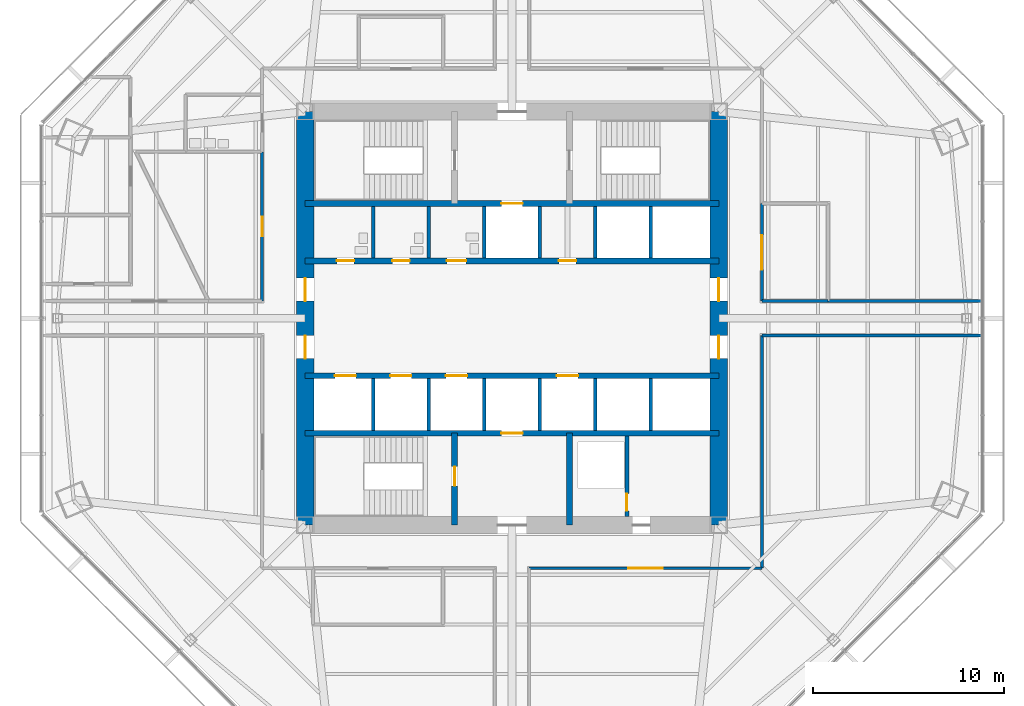
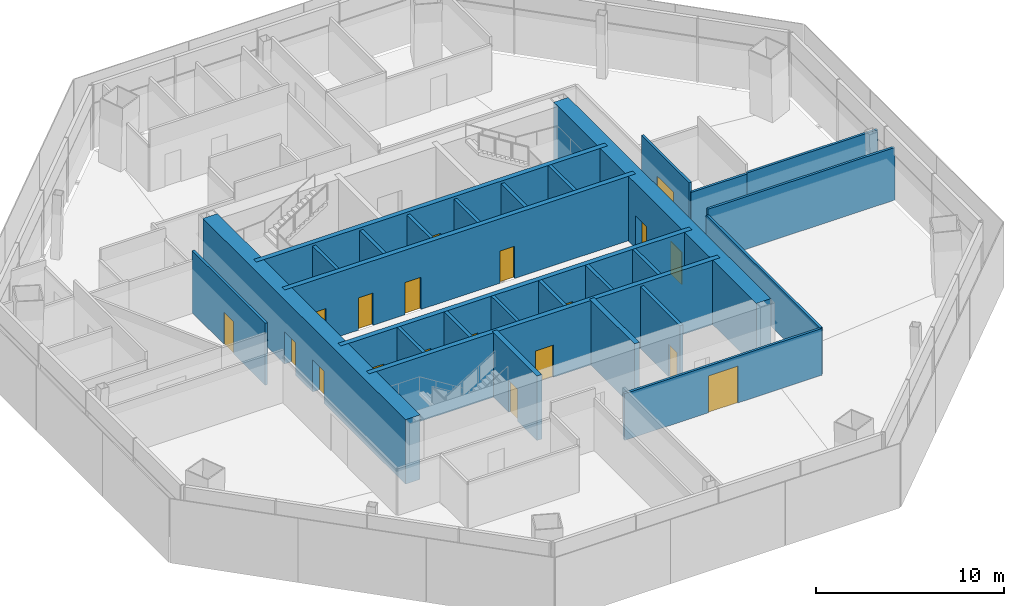
# One storey, part 9 of 14: 28 walls, 19 doors, 19 openings.
"""IFC4 building model written with IfcOpenShell, lengths in metres."""

from ifc_helpers import new_model, si_unit, direction, frame, frame_2d, origin, place, context, subcontext, project, spatial, rectangle, extrude, material, layer, layer_set, type_object, element, fill, save


model = new_model("IFC4")

# Units and contexts
model_context = context("Model", 3, precision=1e-05, world=origin(), true_north=direction((0.0, 1.0)))
body_context = subcontext(model_context, "Body", "Model", "MODEL_VIEW")
ifc_project = project(units=[si_unit("LENGTHUNIT", "METRE"), si_unit("AREAUNIT", "SQUARE_METRE"), si_unit("VOLUMEUNIT", "CUBIC_METRE"), si_unit("PLANEANGLEUNIT", "RADIAN"), si_unit("MASSUNIT", "GRAM", prefix="KILO")], contexts=[model_context])

# Site, building, storey
site_placement = place(None, origin())
site = spatial("IfcSite", under=ifc_project, at=site_placement, CompositionType="ELEMENT")
building_placement = place(site_placement, origin())
building = spatial("IfcBuilding", under=site, at=building_placement, Name="Mashrafa Tower", CompositionType="ELEMENT")
storey_placement = place(building_placement, frame((0.0, 0.0, 121.800048828125)))
storey = spatial("IfcBuildingStorey", under=building, at=storey_placement, Name="L27", CompositionType="ELEMENT", Elevation=121.800048828125)

# Wall, opening, door
ifc_material_1 = material(Name="Concrete masonry unit", Category="masonry")
ifc_layer_1 = layer(ifc_material_1, 0.199951171875)
ifc_layer_set_1 = layer_set([ifc_layer_1], Name="Blockwork wall 200 2 hr")
wall_type_1 = type_object("IfcWallType", Name="Blockwork wall 200 2 hr", PredefinedType="PARTITIONING", material=ifc_layer_set_1)
wall_1_placement = place(storey_placement, frame((6.0, -10.35009765625, 0.0), z_axis=(0.0, 0.0, 1.0), x_axis=(0.0, 1.0, 0.0)))
wall_1 = element("IfcWall", 1, at=wall_1_placement, inside=storey, type_object=wall_type_1, Name="Riser enclosure wall L27", PredefinedType="PARTITIONING", context=body_context, shape_type="SweptSolid", body=[
    extrude(rectangle(XDim=4.2001953125, YDim=0.199951171875, at=frame_2d((2.10009765625, 0.0))), origin(), (0.0, 0.0, 1.0), 4.034912109375),
])
opening_1_placement = place(wall_1_placement, frame((0.300048828125, 0.0, 0.0)))
opening_1 = element("IfcOpeningElement", 2, at=opening_1_placement, cuts=wall_1, Name="Opening 27.028", PredefinedType="OPENING", context=body_context, shape_type="SweptSolid", body=[
    extrude(rectangle(XDim=0.89990234375, YDim=2.10009765625, at=frame_2d((0.449951171875, 1.050048828125))), frame((0.0, 0.10986328125, 0.0), z_axis=(0.0, -1.0, 0.0), x_axis=(1.0, 0.0, 0.0)), (0.0, 0.0, 1.0), 0.219970703125),
])
ifc_material_2 = material(Name="Steel door", Category="steel")
door_type_1 = type_object("IfcDoorType", Name="Service door 900 x 2100 90 min", OperationType="USERDEFINED", PredefinedType="DOOR", material=ifc_material_2)
door_1_placement = place(opening_1_placement, origin())
door_1 = element("IfcDoor", 3, at=door_1_placement, inside=storey, type_object=door_type_1, Name="Riser door L27", OperationType="SINGLE_SWING_LEFT", OverallHeight=2.10009765625, OverallWidth=0.89990234375, PredefinedType="DOOR", context=body_context, shape_type="SweptSolid", body=[
    extrude(rectangle(XDim=0.89990234375, YDim=2.10009765625, at=frame_2d((0.449951171875, 1.050048828125))), frame((0.0, 0.02490234375, 0.0), z_axis=(0.0, -1.0, 0.0), x_axis=(1.0, 0.0, 0.0)), (0.0, 0.0, 1.0), 0.050048828125),
])
fill(opening_1, door_1)

# Wall, openings, doors
ifc_material_3 = material(Name="Concrete C60/75", Category="concrete")
ifc_layer_2 = layer(ifc_material_3, 0.300048828125)
ifc_layer_set_2 = layer_set([ifc_layer_2], Name="Core wall 300 C60/75")
wall_type_2 = type_object("IfcWallType", Name="Core wall 300 C60/75", PredefinedType="SOLIDWALL", material=ifc_layer_set_2)
wall_2_placement = place(storey_placement, frame((-10.800048828125, 3.0, 0.0), z_axis=(0.0, 0.0, 1.0), x_axis=(1.0, 0.0, 0.0)))
wall_2 = element("IfcWall", 4, at=wall_2_placement, inside=storey, type_object=wall_type_2, Name="Core wall CH-N L27", PredefinedType="SOLIDWALL", context=body_context, shape_type="SweptSolid", body=[
    extrude(rectangle(XDim=21.60009765625, YDim=0.300048828125, at=frame_2d((10.800048828125, 0.0))), origin(), (0.0, 0.0, 1.0), 4.199951171875),
])
opening_2_placement = place(wall_2_placement, frame((1.64990234375, 0.0, 0.0)))
opening_2 = element("IfcOpeningElement", 5, at=opening_2_placement, cuts=wall_2, Name="Opening 27.029", PredefinedType="OPENING", context=body_context, shape_type="SweptSolid", body=[
    extrude(rectangle(XDim=0.89990234375, YDim=2.10009765625, at=frame_2d((0.449951171875, 1.050048828125))), frame((0.0, 0.159912109375, 0.0), z_axis=(0.0, -1.0, 0.0), x_axis=(1.0, 0.0, 0.0)), (0.0, 0.0, 1.0), 0.320068359375),
])
opening_3_placement = place(wall_2_placement, frame((4.550048828125, 0.0, 0.0)))
opening_3 = element("IfcOpeningElement", 6, at=opening_3_placement, cuts=wall_2, Name="Opening 27.030", PredefinedType="OPENING", context=body_context, shape_type="SweptSolid", body=[
    extrude(rectangle(XDim=0.89990234375, YDim=2.10009765625, at=frame_2d((0.449951171875, 1.050048828125))), frame((0.0, 0.159912109375, 0.0), z_axis=(0.0, -1.0, 0.0), x_axis=(1.0, 0.0, 0.0)), (0.0, 0.0, 1.0), 0.320068359375),
])
opening_4_placement = place(wall_2_placement, frame((7.39990234375, 0.0, 0.0)))
opening_4 = element("IfcOpeningElement", 7, at=opening_4_placement, cuts=wall_2, Name="Opening 27.031", PredefinedType="OPENING", context=body_context, shape_type="SweptSolid", body=[
    extrude(rectangle(XDim=1.0, YDim=2.10009765625, at=frame_2d((0.5, 1.050048828125))), frame((0.0, 0.159912109375, 0.0), z_axis=(0.0, -1.0, 0.0), x_axis=(1.0, 0.0, 0.0)), (0.0, 0.0, 1.0), 0.320068359375),
])
opening_5_placement = place(wall_2_placement, frame((13.25, 0.0, 0.0)))
opening_5 = element("IfcOpeningElement", 8, at=opening_5_placement, cuts=wall_2, Name="Opening 27.032", PredefinedType="OPENING", context=body_context, shape_type="SweptSolid", body=[
    extrude(rectangle(XDim=0.89990234375, YDim=2.10009765625, at=frame_2d((0.449951171875, 1.050048828125))), frame((0.0, 0.159912109375, 0.0), z_axis=(0.0, -1.0, 0.0), x_axis=(1.0, 0.0, 0.0)), (0.0, 0.0, 1.0), 0.320068359375),
])
ifc_material_4 = material(Name="Timber door", Category="wood")
door_type_2 = type_object("IfcDoorType", Name="Accessible toilet door 1000 x 2100", OperationType="USERDEFINED", PredefinedType="DOOR", material=ifc_material_4)
door_2_placement = place(opening_4_placement, origin())
door_2 = element("IfcDoor", 9, at=door_2_placement, inside=storey, type_object=door_type_2, Name="Accessible WC L27 door", OperationType="SINGLE_SWING_LEFT", OverallHeight=2.10009765625, OverallWidth=1.0, PredefinedType="DOOR", context=body_context, shape_type="SweptSolid", body=[
    extrude(rectangle(XDim=1.0, YDim=2.10009765625, at=frame_2d((0.5, 1.050048828125))), frame((0.0, 0.02490234375, 0.0), z_axis=(0.0, -1.0, 0.0), x_axis=(1.0, 0.0, 0.0)), (0.0, 0.0, 1.0), 0.050048828125),
])
fill(opening_4, door_2)
ifc_material_5 = material(Name="Timber door", Category="wood")
door_type_3 = type_object("IfcDoorType", Name="Store door 900 x 2100", OperationType="USERDEFINED", PredefinedType="DOOR", material=ifc_material_5)
door_3_placement = place(opening_5_placement, origin())
door_3 = element("IfcDoor", 10, at=door_3_placement, inside=storey, type_object=door_type_3, Name="Cleaner's Store L27 door", OperationType="SINGLE_SWING_LEFT", OverallHeight=2.10009765625, OverallWidth=0.89990234375, PredefinedType="DOOR", context=body_context, shape_type="SweptSolid", body=[
    extrude(rectangle(XDim=0.89990234375, YDim=2.10009765625, at=frame_2d((0.449951171875, 1.050048828125))), frame((0.0, 0.02490234375, 0.0), z_axis=(0.0, -1.0, 0.0), x_axis=(1.0, 0.0, 0.0)), (0.0, 0.0, 1.0), 0.050048828125),
])
fill(opening_5, door_3)
ifc_material_6 = material(Name="Timber door", Category="wood")
door_type_4 = type_object("IfcDoorType", Name="Toilet door 900 x 2100", OperationType="USERDEFINED", PredefinedType="DOOR", material=ifc_material_6)
door_4_placement = place(opening_2_placement, origin())
door_4 = element("IfcDoor", 11, at=door_4_placement, inside=storey, type_object=door_type_4, Name="WC Male L27 door", OperationType="SINGLE_SWING_RIGHT", OverallHeight=2.10009765625, OverallWidth=0.89990234375, PredefinedType="DOOR", context=body_context, shape_type="SweptSolid", body=[
    extrude(rectangle(XDim=0.89990234375, YDim=2.10009765625, at=frame_2d((0.449951171875, 1.050048828125))), frame((0.0, 0.02490234375, 0.0), z_axis=(0.0, -1.0, 0.0), x_axis=(1.0, 0.0, 0.0)), (0.0, 0.0, 1.0), 0.050048828125),
])
fill(opening_2, door_4)
door_5_placement = place(opening_3_placement, origin())
door_5 = element("IfcDoor", 12, at=door_5_placement, inside=storey, type_object=door_type_4, Name="WC Female L27 door", OperationType="SINGLE_SWING_LEFT", OverallHeight=2.10009765625, OverallWidth=0.89990234375, PredefinedType="DOOR", context=body_context, shape_type="SweptSolid", body=[
    extrude(rectangle(XDim=0.89990234375, YDim=2.10009765625, at=frame_2d((0.449951171875, 1.050048828125))), frame((0.0, 0.02490234375, 0.0), z_axis=(0.0, -1.0, 0.0), x_axis=(1.0, 0.0, 0.0)), (0.0, 0.0, 1.0), 0.050048828125),
])
fill(opening_3, door_5)

# Wall, opening, door
wall_3_placement = place(storey_placement, frame((-10.800048828125, 6.0, 0.0), z_axis=(0.0, 0.0, 1.0), x_axis=(1.0, 0.0, 0.0)))
wall_3 = element("IfcWall", 13, at=wall_3_placement, inside=storey, type_object=wall_type_2, Name="Core wall CB-N L27", PredefinedType="SOLIDWALL", context=body_context, shape_type="SweptSolid", body=[
    extrude(rectangle(XDim=21.60009765625, YDim=0.300048828125, at=frame_2d((10.800048828125, 0.0))), origin(), (0.0, 0.0, 1.0), 4.199951171875),
])
opening_6_placement = place(wall_3_placement, frame((10.25, 0.0, 0.0)))
opening_6 = element("IfcOpeningElement", 14, at=opening_6_placement, cuts=wall_3, Name="Opening 27.F1", PredefinedType="OPENING", context=body_context, shape_type="SweptSolid", body=[
    extrude(rectangle(XDim=1.10009765625, YDim=2.10009765625, at=frame_2d((0.550048828125, 1.050048828125))), frame((0.0, 0.159912109375, 0.0), z_axis=(0.0, -1.0, 0.0), x_axis=(1.0, 0.0, 0.0)), (0.0, 0.0, 1.0), 0.320068359375),
])
ifc_material_7 = material(Name="Steel door", Category="steel")
door_type_5 = type_object("IfcDoorType", Name="Lift landing door 1100 x 2100 90 min", OperationType="DOUBLE_DOOR_SLIDING", PredefinedType="DOOR", material=ifc_material_7)
door_6_placement = place(opening_6_placement, origin())
door_6 = element("IfcDoor", 15, at=door_6_placement, inside=storey, type_object=door_type_5, Name="Lift landing door F1 L27", OperationType="DOUBLE_DOOR_SLIDING", OverallHeight=2.10009765625, OverallWidth=1.10009765625, PredefinedType="DOOR", context=body_context, shape_type="SweptSolid", body=[
    extrude(rectangle(XDim=1.10009765625, YDim=2.10009765625, at=frame_2d((0.550048828125, 1.050048828125))), frame((0.0, 0.02490234375, 0.0), z_axis=(0.0, -1.0, 0.0), x_axis=(1.0, 0.0, 0.0)), (0.0, 0.0, 1.0), 0.050048828125),
])
fill(opening_6, door_6)

# Wall, openings, doors
wall_4_placement = place(storey_placement, frame((-10.800048828125, -3.0, 0.0), z_axis=(0.0, 0.0, 1.0), x_axis=(1.0, 0.0, 0.0)))
wall_4 = element("IfcWall", 16, at=wall_4_placement, inside=storey, type_object=wall_type_2, Name="Core wall CH-S L27", PredefinedType="SOLIDWALL", context=body_context, shape_type="SweptSolid", body=[
    extrude(rectangle(XDim=21.60009765625, YDim=0.300048828125, at=frame_2d((10.800048828125, 0.0))), origin(), (0.0, 0.0, 1.0), 4.199951171875),
])
opening_7_placement = place(wall_4_placement, frame((1.550048828125, 0.0, 0.0)))
opening_7 = element("IfcOpeningElement", 17, at=opening_7_placement, cuts=wall_4, Name="Opening 27.B1", PredefinedType="OPENING", context=body_context, shape_type="SweptSolid", body=[
    extrude(rectangle(XDim=1.10009765625, YDim=2.10009765625, at=frame_2d((0.550048828125, 1.050048828125))), frame((0.0, 0.159912109375, 0.0), z_axis=(0.0, -1.0, 0.0), x_axis=(1.0, 0.0, 0.0)), (0.0, 0.0, 1.0), 0.320068359375),
])
opening_8_placement = place(wall_4_placement, frame((4.449951171875, 0.0, 0.0)))
opening_8 = element("IfcOpeningElement", 18, at=opening_8_placement, cuts=wall_4, Name="Opening 27.B2", PredefinedType="OPENING", context=body_context, shape_type="SweptSolid", body=[
    extrude(rectangle(XDim=1.10009765625, YDim=2.10009765625, at=frame_2d((0.550048828125, 1.050048828125))), frame((0.0, 0.159912109375, 0.0), z_axis=(0.0, -1.0, 0.0), x_axis=(1.0, 0.0, 0.0)), (0.0, 0.0, 1.0), 0.320068359375),
])
opening_9_placement = place(wall_4_placement, frame((7.35009765625, 0.0, 0.0)))
opening_9 = element("IfcOpeningElement", 19, at=opening_9_placement, cuts=wall_4, Name="Opening 27.B3", PredefinedType="OPENING", context=body_context, shape_type="SweptSolid", body=[
    extrude(rectangle(XDim=1.10009765625, YDim=2.10009765625, at=frame_2d((0.550048828125, 1.050048828125))), frame((0.0, 0.159912109375, 0.0), z_axis=(0.0, -1.0, 0.0), x_axis=(1.0, 0.0, 0.0)), (0.0, 0.0, 1.0), 0.320068359375),
])
opening_10_placement = place(wall_4_placement, frame((13.14990234375, 0.0, 0.0)))
opening_10 = element("IfcOpeningElement", 20, at=opening_10_placement, cuts=wall_4, Name="Opening 27.B4", PredefinedType="OPENING", context=body_context, shape_type="SweptSolid", body=[
    extrude(rectangle(XDim=1.10009765625, YDim=2.10009765625, at=frame_2d((0.550048828125, 1.050048828125))), frame((0.0, 0.159912109375, 0.0), z_axis=(0.0, -1.0, 0.0), x_axis=(1.0, 0.0, 0.0)), (0.0, 0.0, 1.0), 0.320068359375),
])
door_7_placement = place(opening_7_placement, origin())
door_7 = element("IfcDoor", 21, at=door_7_placement, inside=storey, type_object=door_type_5, Name="Lift landing door B1 L27", OperationType="DOUBLE_DOOR_SLIDING", OverallHeight=2.10009765625, OverallWidth=1.10009765625, PredefinedType="DOOR", context=body_context, shape_type="SweptSolid", body=[
    extrude(rectangle(XDim=1.10009765625, YDim=2.10009765625, at=frame_2d((0.550048828125, 1.050048828125))), frame((0.0, 0.02490234375, 0.0), z_axis=(0.0, -1.0, 0.0), x_axis=(1.0, 0.0, 0.0)), (0.0, 0.0, 1.0), 0.050048828125),
])
fill(opening_7, door_7)
door_8_placement = place(opening_8_placement, origin())
door_8 = element("IfcDoor", 22, at=door_8_placement, inside=storey, type_object=door_type_5, Name="Lift landing door B2 L27", OperationType="DOUBLE_DOOR_SLIDING", OverallHeight=2.10009765625, OverallWidth=1.10009765625, PredefinedType="DOOR", context=body_context, shape_type="SweptSolid", body=[
    extrude(rectangle(XDim=1.10009765625, YDim=2.10009765625, at=frame_2d((0.550048828125, 1.050048828125))), frame((0.0, 0.02490234375, 0.0), z_axis=(0.0, -1.0, 0.0), x_axis=(1.0, 0.0, 0.0)), (0.0, 0.0, 1.0), 0.050048828125),
])
fill(opening_8, door_8)
door_9_placement = place(opening_9_placement, origin())
door_9 = element("IfcDoor", 23, at=door_9_placement, inside=storey, type_object=door_type_5, Name="Lift landing door B3 L27", OperationType="DOUBLE_DOOR_SLIDING", OverallHeight=2.10009765625, OverallWidth=1.10009765625, PredefinedType="DOOR", context=body_context, shape_type="SweptSolid", body=[
    extrude(rectangle(XDim=1.10009765625, YDim=2.10009765625, at=frame_2d((0.550048828125, 1.050048828125))), frame((0.0, 0.02490234375, 0.0), z_axis=(0.0, -1.0, 0.0), x_axis=(1.0, 0.0, 0.0)), (0.0, 0.0, 1.0), 0.050048828125),
])
fill(opening_9, door_9)
door_10_placement = place(opening_10_placement, origin())
door_10 = element("IfcDoor", 24, at=door_10_placement, inside=storey, type_object=door_type_5, Name="Lift landing door B4 L27", OperationType="DOUBLE_DOOR_SLIDING", OverallHeight=2.10009765625, OverallWidth=1.10009765625, PredefinedType="DOOR", context=body_context, shape_type="SweptSolid", body=[
    extrude(rectangle(XDim=1.10009765625, YDim=2.10009765625, at=frame_2d((0.550048828125, 1.050048828125))), frame((0.0, 0.02490234375, 0.0), z_axis=(0.0, -1.0, 0.0), x_axis=(1.0, 0.0, 0.0)), (0.0, 0.0, 1.0), 0.050048828125),
])
fill(opening_10, door_10)

# Wall, opening, door
wall_5_placement = place(storey_placement, frame((-10.800048828125, -6.0, 0.0), z_axis=(0.0, 0.0, 1.0), x_axis=(1.0, 0.0, 0.0)))
wall_5 = element("IfcWall", 25, at=wall_5_placement, inside=storey, type_object=wall_type_2, Name="Core wall CB-S L27", PredefinedType="SOLIDWALL", context=body_context, shape_type="SweptSolid", body=[
    extrude(rectangle(XDim=21.60009765625, YDim=0.300048828125, at=frame_2d((10.800048828125, 0.0))), origin(), (0.0, 0.0, 1.0), 4.199951171875),
])
opening_11_placement = place(wall_5_placement, frame((10.25, 0.0, 0.0)))
opening_11 = element("IfcOpeningElement", 26, at=opening_11_placement, cuts=wall_5, Name="Opening 27.F2", PredefinedType="OPENING", context=body_context, shape_type="SweptSolid", body=[
    extrude(rectangle(XDim=1.10009765625, YDim=2.10009765625, at=frame_2d((0.550048828125, 1.050048828125))), frame((0.0, 0.159912109375, 0.0), z_axis=(0.0, -1.0, 0.0), x_axis=(1.0, 0.0, 0.0)), (0.0, 0.0, 1.0), 0.320068359375),
])
door_11_placement = place(opening_11_placement, origin())
door_11 = element("IfcDoor", 27, at=door_11_placement, inside=storey, type_object=door_type_5, Name="Lift landing door F2 L27", OperationType="DOUBLE_DOOR_SLIDING", OverallHeight=2.10009765625, OverallWidth=1.10009765625, PredefinedType="DOOR", context=body_context, shape_type="SweptSolid", body=[
    extrude(rectangle(XDim=1.10009765625, YDim=2.10009765625, at=frame_2d((0.550048828125, 1.050048828125))), frame((0.0, 0.02490234375, 0.0), z_axis=(0.0, -1.0, 0.0), x_axis=(1.0, 0.0, 0.0)), (0.0, 0.0, 1.0), 0.050048828125),
])
fill(opening_11, door_11)

wall_6_placement = place(storey_placement, frame((-3.0, -6.0, 0.0), z_axis=(0.0, 0.0, 1.0), x_axis=(0.0, -1.0, 0.0)))
wall_6 = element("IfcWall", 28, at=wall_6_placement, inside=storey, type_object=wall_type_2, Name="Core wall CX-SW L27", PredefinedType="SOLIDWALL", context=body_context, shape_type="SweptSolid", body=[
    extrude(rectangle(XDim=4.800048828125, YDim=0.300048828125, at=frame_2d((2.39990234375, 0.0))), origin(), (0.0, 0.0, 1.0), 4.199951171875),
])
opening_12_placement = place(wall_6_placement, frame((1.75, 0.0, 0.0)))
opening_12 = element("IfcOpeningElement", 29, at=opening_12_placement, cuts=wall_6, Name="Opening 27.026", PredefinedType="OPENING", context=body_context, shape_type="SweptSolid", body=[
    extrude(rectangle(XDim=1.0, YDim=2.10009765625, at=frame_2d((0.5, 1.050048828125))), frame((0.0, 0.159912109375, 0.0), z_axis=(0.0, -1.0, 0.0), x_axis=(1.0, 0.0, 0.0)), (0.0, 0.0, 1.0), 0.320068359375),
])
ifc_material_8 = material(Name="Steel door", Category="steel")
door_type_6 = type_object("IfcDoorType", Name="Stair door 1000 x 2100 90 min", OperationType="USERDEFINED", PredefinedType="DOOR", material=ifc_material_8)
door_12_placement = place(opening_12_placement, frame((1.0, 0.0, 0.0), z_axis=(0.0, 0.0, 1.0), x_axis=(-1.0, 0.0, 0.0)))
door_12 = element("IfcDoor", 30, at=door_12_placement, inside=storey, type_object=door_type_6, Name="Stair S3 door L27", OperationType="SINGLE_SWING_RIGHT", OverallHeight=2.10009765625, OverallWidth=1.0, PredefinedType="DOOR", context=body_context, shape_type="SweptSolid", body=[
    extrude(rectangle(XDim=1.0, YDim=2.10009765625, at=frame_2d((0.5, 1.050048828125))), frame((0.0, 0.02490234375, 0.0), z_axis=(0.0, -1.0, 0.0), x_axis=(1.0, 0.0, 0.0)), (0.0, 0.0, 1.0), 0.050048828125),
])
fill(opening_12, door_12)

# Wall
wall_7_placement = place(storey_placement, frame((3.0, -6.0, 0.0), z_axis=(0.0, 0.0, 1.0), x_axis=(0.0, -1.0, 0.0)))
element("IfcWall", 31, at=wall_7_placement, inside=storey, type_object=wall_type_2, Name="Core wall CX-SE L27", PredefinedType="SOLIDWALL", context=body_context, shape_type="SweptSolid", body=[
    extrude(rectangle(XDim=4.800048828125, YDim=0.300048828125, at=frame_2d((2.39990234375, 0.0))), origin(), (0.0, 0.0, 1.0), 4.199951171875),
])

# Wall, openings, doors
ifc_material_9 = material(Name="Concrete C60/75", Category="concrete")
ifc_layer_3 = layer(ifc_material_9, 0.89990234375)
ifc_layer_set_3 = layer_set([ifc_layer_3], Name="Core wall 900 C60/75")
wall_type_3 = type_object("IfcWallType", Name="Core wall 900 C60/75", PredefinedType="SOLIDWALL", material=ifc_layer_set_3)
wall_8_placement = place(storey_placement, frame((10.800048828125, -10.800048828125, 0.0), z_axis=(0.0, 0.0, 1.0), x_axis=(0.0, 1.0, 0.0)))
wall_8 = element("IfcWall", 32, at=wall_8_placement, inside=storey, type_object=wall_type_3, Name="Core wall CW-E L27", PredefinedType="SOLIDWALL", context=body_context, shape_type="SweptSolid", body=[
    extrude(rectangle(XDim=21.60009765625, YDim=0.89990234375, at=frame_2d((10.800048828125, 0.0))), origin(), (0.0, 0.0, 1.0), 4.199951171875),
])
opening_13_placement = place(wall_8_placement, frame((11.699951171875, 0.0, 0.0)))
opening_13 = element("IfcOpeningElement", 33, at=opening_13_placement, cuts=wall_8, Name="Opening 27.018", PredefinedType="OPENING", context=body_context, shape_type="SweptSolid", body=[
    extrude(rectangle(XDim=1.199951171875, YDim=2.10009765625, at=frame_2d((0.60009765625, 1.050048828125))), frame((0.0, 0.4599609375, 0.0), z_axis=(0.0, -1.0, 0.0), x_axis=(1.0, 0.0, 0.0)), (0.0, 0.0, 1.0), 0.919921875),
])
opening_14_placement = place(wall_8_placement, frame((8.699951171875, 0.0, 0.0)))
opening_14 = element("IfcOpeningElement", 34, at=opening_14_placement, cuts=wall_8, Name="Opening 27.020", PredefinedType="OPENING", context=body_context, shape_type="SweptSolid", body=[
    extrude(rectangle(XDim=1.199951171875, YDim=2.10009765625, at=frame_2d((0.60009765625, 1.050048828125))), frame((0.0, 0.4599609375, 0.0), z_axis=(0.0, -1.0, 0.0), x_axis=(1.0, 0.0, 0.0)), (0.0, 0.0, 1.0), 0.919921875),
])
ifc_material_10 = material(Name="Steel door", Category="steel")
door_type_7 = type_object("IfcDoorType", Name="Lift hall door 1200 x 2100 90 min", OperationType="USERDEFINED", PredefinedType="DOOR", material=ifc_material_10)
door_13_placement = place(opening_13_placement, frame((1.199951171875, 0.0, 0.0), z_axis=(0.0, 0.0, 1.0), x_axis=(-1.0, 0.0, 0.0)))
door_13 = element("IfcDoor", 35, at=door_13_placement, inside=storey, type_object=door_type_7, Name="Lift hall door east L27", OperationType="SINGLE_SWING_LEFT", OverallHeight=2.10009765625, OverallWidth=1.199951171875, PredefinedType="DOOR", context=body_context, shape_type="SweptSolid", body=[
    extrude(rectangle(XDim=1.199951171875, YDim=2.10009765625, at=frame_2d((0.60009765625, 1.050048828125))), frame((0.0, 0.02490234375, 0.0), z_axis=(0.0, -1.0, 0.0), x_axis=(1.0, 0.0, 0.0)), (0.0, 0.0, 1.0), 0.050048828125),
])
fill(opening_13, door_13)
door_14_placement = place(opening_14_placement, frame((1.199951171875, 0.0, 0.0), z_axis=(0.0, 0.0, 1.0), x_axis=(-1.0, 0.0, 0.0)))
door_14 = element("IfcDoor", 36, at=door_14_placement, inside=storey, type_object=door_type_7, Name="Lift hall door east L27", OperationType="SINGLE_SWING_RIGHT", OverallHeight=2.10009765625, OverallWidth=1.199951171875, PredefinedType="DOOR", context=body_context, shape_type="SweptSolid", body=[
    extrude(rectangle(XDim=1.199951171875, YDim=2.10009765625, at=frame_2d((0.60009765625, 1.050048828125))), frame((0.0, 0.02490234375, 0.0), z_axis=(0.0, -1.0, 0.0), x_axis=(1.0, 0.0, 0.0)), (0.0, 0.0, 1.0), 0.050048828125),
])
fill(opening_14, door_14)

wall_9_placement = place(storey_placement, frame((-10.800048828125, 10.800048828125, 0.0), z_axis=(0.0, 0.0, 1.0), x_axis=(0.0, -1.0, 0.0)))
wall_9 = element("IfcWall", 37, at=wall_9_placement, inside=storey, type_object=wall_type_3, Name="Core wall CW-W L27", PredefinedType="SOLIDWALL", context=body_context, shape_type="SweptSolid", body=[
    extrude(rectangle(XDim=21.60009765625, YDim=0.89990234375, at=frame_2d((10.800048828125, 0.0))), origin(), (0.0, 0.0, 1.0), 4.199951171875),
])
opening_15_placement = place(wall_9_placement, frame((8.699951171875, 0.0, 0.0)))
opening_15 = element("IfcOpeningElement", 38, at=opening_15_placement, cuts=wall_9, Name="Opening 27.019", PredefinedType="OPENING", context=body_context, shape_type="SweptSolid", body=[
    extrude(rectangle(XDim=1.199951171875, YDim=2.10009765625, at=frame_2d((0.60009765625, 1.050048828125))), frame((0.0, 0.4599609375, 0.0), z_axis=(0.0, -1.0, 0.0), x_axis=(1.0, 0.0, 0.0)), (0.0, 0.0, 1.0), 0.919921875),
])
opening_16_placement = place(wall_9_placement, frame((11.699951171875, 0.0, 0.0)))
opening_16 = element("IfcOpeningElement", 39, at=opening_16_placement, cuts=wall_9, Name="Opening 27.021", PredefinedType="OPENING", context=body_context, shape_type="SweptSolid", body=[
    extrude(rectangle(XDim=1.199951171875, YDim=2.10009765625, at=frame_2d((0.60009765625, 1.050048828125))), frame((0.0, 0.4599609375, 0.0), z_axis=(0.0, -1.0, 0.0), x_axis=(1.0, 0.0, 0.0)), (0.0, 0.0, 1.0), 0.919921875),
])
door_15_placement = place(opening_15_placement, frame((1.199951171875, 0.0, 0.0), z_axis=(0.0, 0.0, 1.0), x_axis=(-1.0, 0.0, 0.0)))
door_15 = element("IfcDoor", 40, at=door_15_placement, inside=storey, type_object=door_type_7, Name="Lift hall door west L27", OperationType="SINGLE_SWING_RIGHT", OverallHeight=2.10009765625, OverallWidth=1.199951171875, PredefinedType="DOOR", context=body_context, shape_type="SweptSolid", body=[
    extrude(rectangle(XDim=1.199951171875, YDim=2.10009765625, at=frame_2d((0.60009765625, 1.050048828125))), frame((0.0, 0.02490234375, 0.0), z_axis=(0.0, -1.0, 0.0), x_axis=(1.0, 0.0, 0.0)), (0.0, 0.0, 1.0), 0.050048828125),
])
fill(opening_15, door_15)
door_16_placement = place(opening_16_placement, frame((1.199951171875, 0.0, 0.0), z_axis=(0.0, 0.0, 1.0), x_axis=(-1.0, 0.0, 0.0)))
door_16 = element("IfcDoor", 41, at=door_16_placement, inside=storey, type_object=door_type_7, Name="Lift hall door west L27", OperationType="SINGLE_SWING_LEFT", OverallHeight=2.10009765625, OverallWidth=1.199951171875, PredefinedType="DOOR", context=body_context, shape_type="SweptSolid", body=[
    extrude(rectangle(XDim=1.199951171875, YDim=2.10009765625, at=frame_2d((0.60009765625, 1.050048828125))), frame((0.0, 0.02490234375, 0.0), z_axis=(0.0, -1.0, 0.0), x_axis=(1.0, 0.0, 0.0)), (0.0, 0.0, 1.0), 0.050048828125),
])
fill(opening_16, door_16)

# Wall, opening, door
ifc_material_11 = material(Name="Gypsum board on steel studs", Category="steel")
ifc_layer_4 = layer(ifc_material_11, 0.14990234375)
ifc_layer_set_4 = layer_set([ifc_layer_4], Name="Corridor partition 150 1 hr")
wall_type_4 = type_object("IfcWallType", Name="Corridor partition 150 1 hr", PredefinedType="PARTITIONING", material=ifc_layer_set_4)
wall_10_placement = place(storey_placement, frame((-13.050048828125, 8.700927734375, 0.0), z_axis=(0.0, 0.0, 1.0), x_axis=(0.0, -1.0, 0.0)))
wall_10 = element("IfcWall", 42, at=wall_10_placement, inside=storey, type_object=wall_type_4, Name="Corridor wall L27-001", PredefinedType="PARTITIONING", context=body_context, shape_type="SweptSolid", body=[
    extrude(rectangle(XDim=7.801025390625, YDim=0.14990234375, at=frame_2d((3.900390625, 0.0))), origin(), (0.0, 0.0, 1.0), 4.034912109375),
])
opening_17_placement = place(wall_10_placement, frame((3.400390625, 0.0, 0.0)))
opening_17 = element("IfcOpeningElement", 43, at=opening_17_placement, cuts=wall_10, Name="Opening 27.001", PredefinedType="OPENING", context=body_context, shape_type="SweptSolid", body=[
    extrude(rectangle(XDim=1.0, YDim=2.10009765625, at=frame_2d((0.5, 1.050048828125))), frame((0.0, 0.0849609375, 0.0), z_axis=(0.0, -1.0, 0.0), x_axis=(1.0, 0.0, 0.0)), (0.0, 0.0, 1.0), 0.169921875),
])
ifc_material_12 = material(Name="Timber door", Category="wood")
door_type_8 = type_object("IfcDoorType", Name="Door 1000 x 2100", OperationType="USERDEFINED", PredefinedType="DOOR", material=ifc_material_12)
door_17_placement = place(opening_17_placement, frame((1.0, 0.0, 0.0), z_axis=(0.0, 0.0, 1.0), x_axis=(-1.0, 0.0, 0.0)))
door_17 = element("IfcDoor", 44, at=door_17_placement, inside=storey, type_object=door_type_8, Name="Musallah Prayer Room 27 door", OperationType="SINGLE_SWING_LEFT", OverallHeight=2.10009765625, OverallWidth=1.0, PredefinedType="DOOR", context=body_context, shape_type="SweptSolid", body=[
    extrude(rectangle(XDim=1.0, YDim=2.10009765625, at=frame_2d((0.5, 1.050048828125))), frame((0.0, 0.02490234375, 0.0), z_axis=(0.0, -1.0, 0.0), x_axis=(1.0, 0.0, 0.0)), (0.0, 0.0, 1.0), 0.050048828125),
])
fill(opening_17, door_17)

# Wall
wall_11_placement = place(storey_placement, frame((16.5009765625, 0.89990234375, 0.0), z_axis=(0.0, 0.0, 1.0), x_axis=(-1.0, 0.0, 0.0)))
element("IfcWall", 45, at=wall_11_placement, inside=storey, type_object=wall_type_4, Name="Corridor wall L27-004", PredefinedType="PARTITIONING", context=body_context, shape_type="SweptSolid", body=[
    extrude(rectangle(XDim=3.450927734375, YDim=0.14990234375, at=frame_2d((1.7255859375, 0.0))), origin(), (0.0, 0.0, 1.0), 3.425537109375),
])

# Wall, opening, door
wall_12_placement = place(storey_placement, frame((13.050048828125, 0.89990234375, 0.0), z_axis=(0.0, 0.0, 1.0), x_axis=(0.0, 1.0, 0.0)))
wall_12 = element("IfcWall", 46, at=wall_12_placement, inside=storey, type_object=wall_type_4, Name="Corridor wall L27-005", PredefinedType="PARTITIONING", context=body_context, shape_type="SweptSolid", body=[
    extrude(rectangle(XDim=5.10107421875, YDim=0.14990234375, at=frame_2d((2.550537109375, 0.0))), origin(), (0.0, 0.0, 1.0), 4.034912109375),
])
opening_18_placement = place(wall_12_placement, frame((1.650390625, 0.0, 0.0)))
opening_18 = element("IfcOpeningElement", 47, at=opening_18_placement, cuts=wall_12, Name="Opening 27.003", PredefinedType="OPENING", context=body_context, shape_type="SweptSolid", body=[
    extrude(rectangle(XDim=1.800048828125, YDim=2.39990234375, at=frame_2d((0.89990234375, 1.199951171875))), frame((0.0, 0.0849609375, 0.0), z_axis=(0.0, -1.0, 0.0), x_axis=(1.0, 0.0, 0.0)), (0.0, 0.0, 1.0), 0.169921875),
])
ifc_material_13 = material(Name="Steel door", Category="steel")
door_type_9 = type_object("IfcDoorType", Name="Door pair 1800 x 2400 90 min", OperationType="DOUBLE_DOOR_SINGLE_SWING", PredefinedType="DOOR", material=ifc_material_13)
door_18_placement = place(opening_18_placement, origin())
door_18 = element("IfcDoor", 48, at=door_18_placement, inside=storey, type_object=door_type_9, Name="Reception Majlis 27 door", OperationType="DOUBLE_DOOR_SINGLE_SWING", OverallHeight=2.39990234375, OverallWidth=1.800048828125, PredefinedType="DOOR", context=body_context, shape_type="SweptSolid", body=[
    extrude(rectangle(XDim=1.800048828125, YDim=2.39990234375, at=frame_2d((0.89990234375, 1.199951171875))), frame((0.0, 0.02490234375, 0.0), z_axis=(0.0, -1.0, 0.0), x_axis=(1.0, 0.0, 0.0)), (0.0, 0.0, 1.0), 0.050048828125),
])
fill(opening_18, door_18)

# Wall
wall_13_placement = place(storey_placement, frame((24.55126953125, 0.89990234375, 0.0), z_axis=(0.0, 0.0, 1.0), x_axis=(-1.0, 0.0, 0.0)))
element("IfcWall", 49, at=wall_13_placement, inside=storey, type_object=wall_type_4, Name="Corridor wall L27-013", PredefinedType="PARTITIONING", context=body_context, shape_type="SweptSolid", body=[
    extrude(rectangle(XDim=8.05224609375, YDim=0.14990234375, at=frame_2d((4.026123046875, 0.0))), origin(), (0.0, 0.0, 1.0), 3.491455078125),
])

# Wall, opening, door
wall_14_placement = place(storey_placement, frame((0.89990234375, -13.050048828125, 0.0), z_axis=(0.0, 0.0, 1.0), x_axis=(1.0, 0.0, 0.0)))
wall_14 = element("IfcWall", 50, at=wall_14_placement, inside=storey, type_object=wall_type_4, Name="Corridor wall L27-025", PredefinedType="PARTITIONING", context=body_context, shape_type="SweptSolid", body=[
    extrude(rectangle(XDim=12.150146484375, YDim=0.14990234375, at=frame_2d((6.0751953125, 0.0))), origin(), (0.0, 0.0, 1.0), 3.0419921875),
])
opening_19_placement = place(wall_14_placement, frame((5.175048828125, 0.0, 0.0)))
opening_19 = element("IfcOpeningElement", 51, at=opening_19_placement, cuts=wall_14, Name="Opening 27.017", PredefinedType="OPENING", context=body_context, shape_type="SweptSolid", body=[
    extrude(rectangle(XDim=1.800048828125, YDim=2.39990234375, at=frame_2d((0.89990234375, 1.199951171875))), frame((0.0, 0.0849609375, 0.0), z_axis=(0.0, -1.0, 0.0), x_axis=(1.0, 0.0, 0.0)), (0.0, 0.0, 1.0), 0.169921875),
])
ifc_material_14 = material(Name="Timber door", Category="wood")
door_type_10 = type_object("IfcDoorType", Name="Door pair 1800 x 2400", OperationType="DOUBLE_DOOR_SINGLE_SWING", PredefinedType="DOOR", material=ifc_material_14)
door_19_placement = place(opening_19_placement, frame((1.800048828125, 0.0, 0.0), z_axis=(0.0, 0.0, 1.0), x_axis=(-1.0, 0.0, 0.0)))
door_19 = element("IfcDoor", 52, at=door_19_placement, inside=storey, type_object=door_type_10, Name="Programme Delivery Office 27-SE door", OperationType="DOUBLE_DOOR_SINGLE_SWING", OverallHeight=2.39990234375, OverallWidth=1.800048828125, PredefinedType="DOOR", context=body_context, shape_type="SweptSolid", body=[
    extrude(rectangle(XDim=1.800048828125, YDim=2.39990234375, at=frame_2d((0.89990234375, 1.199951171875))), frame((0.0, 0.02490234375, 0.0), z_axis=(0.0, -1.0, 0.0), x_axis=(1.0, 0.0, 0.0)), (0.0, 0.0, 1.0), 0.050048828125),
])
fill(opening_19, door_19)

# Walls
wall_15_placement = place(storey_placement, frame((13.050048828125, -13.050048828125, 0.0), z_axis=(0.0, 0.0, 1.0), x_axis=(0.0, 1.0, 0.0)))
element("IfcWall", 53, at=wall_15_placement, inside=storey, type_object=wall_type_4, Name="Corridor wall L27-026", PredefinedType="PARTITIONING", context=body_context, shape_type="SweptSolid", body=[
    extrude(rectangle(XDim=12.150146484375, YDim=0.14990234375, at=frame_2d((6.0751953125, 0.0))), origin(), (0.0, 0.0, 1.0), 3.0419921875),
])
wall_16_placement = place(storey_placement, frame((13.050048828125, -0.89990234375, 0.0), z_axis=(0.0, 0.0, 1.0), x_axis=(1.0, 0.0, 0.0)))
element("IfcWall", 54, at=wall_16_placement, inside=storey, type_object=wall_type_4, Name="Corridor wall L27-027", PredefinedType="PARTITIONING", context=body_context, shape_type="SweptSolid", body=[
    extrude(rectangle(XDim=11.501220703125, YDim=0.14990234375, at=frame_2d((5.75048828125, 0.0))), origin(), (0.0, 0.0, 1.0), 3.425537109375),
])
ifc_material_15 = material(Name="Gypsum shaft wall on steel studs", Category="steel")
ifc_layer_5 = layer(ifc_material_15, 0.199951171875)
ifc_layer_set_5 = layer_set([ifc_layer_5], Name="Shaft divider wall 200 2 hr")
wall_type_5 = type_object("IfcWallType", Name="Shaft divider wall 200 2 hr", PredefinedType="PARTITIONING", material=ifc_layer_set_5)
for number, where, z_axis, x_axis, name in (
    (55, (-7.25, 3.14990234375, 0.0), (0.0, 0.0, 1.0), (0.0, 1.0, 0.0), "Shaft divider wall N1 L27"),
    (56, (-4.35009765625, 3.14990234375, 0.0), (0.0, 0.0, 1.0), (0.0, 1.0, 0.0), "Shaft divider wall N2 L27"),
    (57, (-1.449951171875, 3.14990234375, 0.0), (0.0, 0.0, 1.0), (0.0, 1.0, 0.0), "Shaft divider wall N3 L27"),
    (58, (1.449951171875, 3.14990234375, 0.0), (0.0, 0.0, 1.0), (0.0, 1.0, 0.0), "Shaft divider wall N4 L27"),
    (59, (4.35009765625, 3.14990234375, 0.0), (0.0, 0.0, 1.0), (0.0, 1.0, 0.0), "Shaft divider wall N5 L27"),
):
    element("IfcWall", number, at=place(storey_placement, frame(where, z_axis=z_axis, x_axis=x_axis)), inside=storey, type_object=wall_type_5, Name=name, PredefinedType="PARTITIONING", context=body_context, shape_type="SweptSolid", body=[
        extrude(rectangle(XDim=2.7001953125, YDim=0.199951171875, at=frame_2d((1.35009765625, 0.0))), origin(), (0.0, 0.0, 1.0), 4.034912109375),
    ])
for number, where, z_axis, x_axis, name in (
    (60, (7.25, 3.14990234375, 0.0), (0.0, 0.0, 1.0), (0.0, 1.0, 0.0), "Shaft divider wall N6 L27"),
    (61, (-7.25, -5.85009765625, 0.0), (0.0, 0.0, 1.0), (0.0, 1.0, 0.0), "Shaft divider wall S1 L27"),
    (62, (-4.35009765625, -5.85009765625, 0.0), (0.0, 0.0, 1.0), (0.0, 1.0, 0.0), "Shaft divider wall S2 L27"),
    (63, (-1.449951171875, -5.85009765625, 0.0), (0.0, 0.0, 1.0), (0.0, 1.0, 0.0), "Shaft divider wall S3 L27"),
    (64, (1.449951171875, -5.85009765625, 0.0), (0.0, 0.0, 1.0), (0.0, 1.0, 0.0), "Shaft divider wall S4 L27"),
    (65, (4.35009765625, -5.85009765625, 0.0), (0.0, 0.0, 1.0), (0.0, 1.0, 0.0), "Shaft divider wall S5 L27"),
    (66, (7.25, -5.85009765625, 0.0), (0.0, 0.0, 1.0), (0.0, 1.0, 0.0), "Shaft divider wall S6 L27"),
):
    element("IfcWall", number, at=place(storey_placement, frame(where, z_axis=z_axis, x_axis=x_axis)), inside=storey, type_object=wall_type_5, Name=name, PredefinedType="PARTITIONING", context=body_context, shape_type="SweptSolid", body=[
        extrude(rectangle(XDim=2.7001953125, YDim=0.199951171875, at=frame_2d((1.35009765625, 0.0))), origin(), (0.0, 0.0, 1.0), 4.199951171875),
    ])

save(model, "model.ifc")
